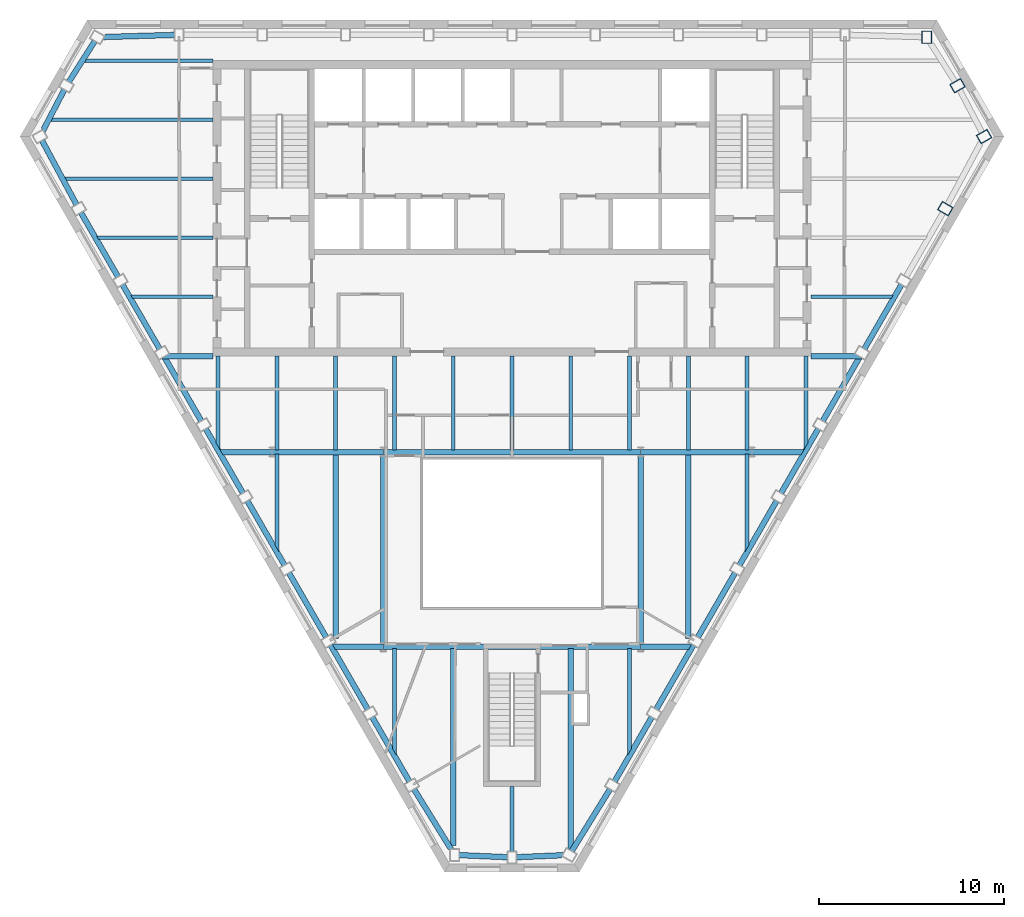
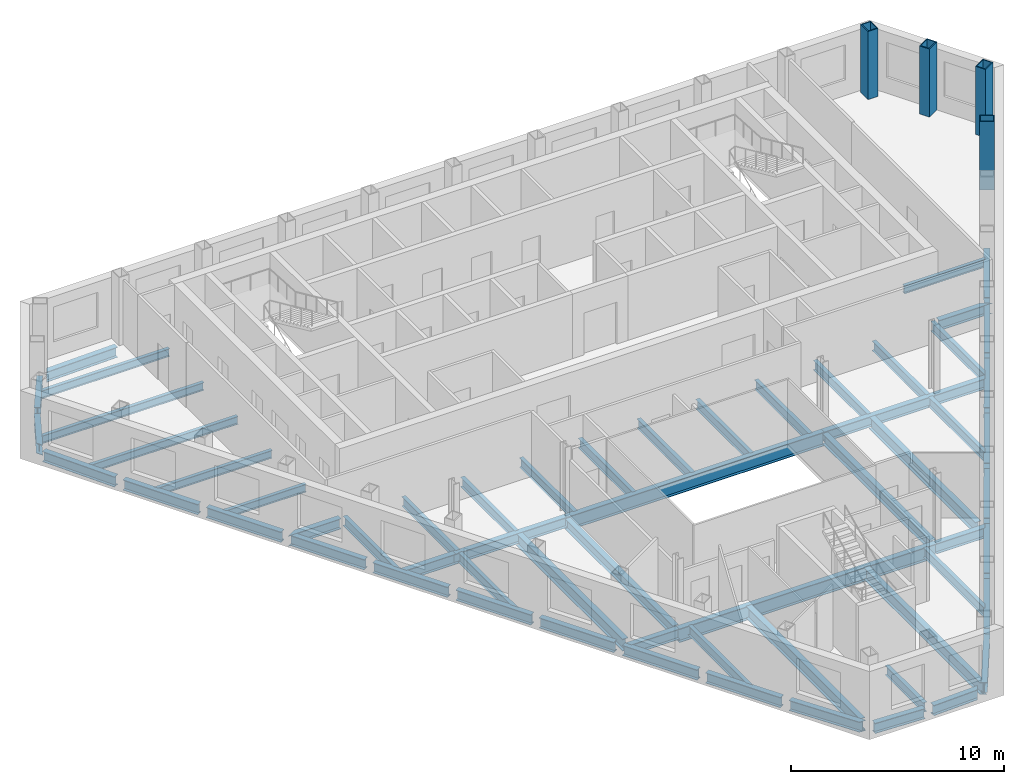
# One storey, part 2 of 11: 61 beams, 4 columns.
"""IFC4 building model written with IfcOpenShell, lengths in metres."""

from ifc_helpers import new_model, si_unit, direction, frame, origin, origin_2d, place, context, subcontext, project, spatial, hollow_rectangle, i_section, extrude, clip, halfspace, material, material_profile, profile_set, type_object, element, save


model = new_model("IFC4")

# Units and contexts
model_context = context("Model", 3, precision=1e-05, world=origin(), true_north=direction((0.0, 1.0)))
body_context = subcontext(model_context, "Body", "Model", "MODEL_VIEW")
ifc_project = project(units=[si_unit("LENGTHUNIT", "METRE"), si_unit("AREAUNIT", "SQUARE_METRE"), si_unit("VOLUMEUNIT", "CUBIC_METRE"), si_unit("PLANEANGLEUNIT", "RADIAN"), si_unit("MASSUNIT", "GRAM", prefix="KILO")], contexts=[model_context])

# Site, building, storey
site_placement = place(None, origin())
site = spatial("IfcSite", under=ifc_project, at=site_placement, CompositionType="ELEMENT")
building_placement = place(site_placement, origin())
building = spatial("IfcBuilding", under=site, at=building_placement, Name="Njiva Tower", CompositionType="ELEMENT")
storey_placement = place(building_placement, frame((0.0, 0.0, 208.2)))
storey = spatial("IfcBuildingStorey", under=building, at=storey_placement, Name="L46", CompositionType="ELEMENT", Elevation=208.2)

# Columns
ifc_material = material(Name="Steel S355 J2", Category="steel")
ifc_material_profile_1 = material_profile(ifc_material, hollow_rectangle(XDim=0.55, YDim=0.7, WallThickness=0.05, at=origin_2d()), Name="BOX 700x550x50")
ifc_profile_set_1 = profile_set([ifc_material_profile_1], Name="Steel S355 J2")
column_type = type_object("IfcColumnType", Name="C11 Perimeter tube column BOX 700x550x50", PredefinedType="COLUMN", material=ifc_profile_set_1)
for number, where, z_axis, x_axis, name in (
    (1, (22.461, 19.267, 0.0), (0.0, 0.0, 1.0), (-1.0, 0.0, 0.0), "Perimeter tube column S15-C01"),
    (2, (23.467, 9.983, 0.0), (0.0, 0.0, 1.0), (0.5, 0.866025403784, 0.0), "Perimeter tube column S15-C34"),
    (3, (25.568, 13.887, 0.0), (0.0, 0.0, 1.0), (-0.5, 0.866025403784, 0.0), "Perimeter tube column S15-C35"),
    (4, (24.13, 16.643, 0.0), (0.0, 0.0, 1.0), (-0.5, 0.866025403784, 0.0), "Perimeter tube column S15-C36"),
):
    element("IfcColumn", number, at=place(storey_placement, frame(where, z_axis=z_axis, x_axis=x_axis)), inside=storey, type_object=column_type, Name=name, PredefinedType="COLUMN", context=body_context, shape_type="SweptSolid", body=[
        extrude(hollow_rectangle(XDim=0.55, YDim=0.7, WallThickness=0.05, at=origin_2d()), origin(), (0.0, 0.0, 1.0), 3.9),
    ])

# Beams
ifc_material_profile_2 = material_profile(ifc_material, i_section(OverallWidth=0.3, OverallDepth=0.69, WebThickness=0.0145, FlangeThickness=0.027, at=origin_2d()), Name="HEA 700")
ifc_profile_set_2 = profile_set([ifc_material_profile_2], Name="Steel S355 J2")
beam_type_1 = type_object("IfcBeamType", Name="B12 Long-span floor joist HEA 700", PredefinedType="JOIST", material=ifc_profile_set_2)
beam_1_placement = place(storey_placement, frame((-9.55, -3.3, -0.545), z_axis=(0.0, -1.0, 0.0), x_axis=(1.0, 0.0, 0.0)))
element("IfcBeam", 5, at=beam_1_placement, inside=storey, type_object=beam_type_1, Name="Long-span floor joist S15-B056", PredefinedType="JOIST", context=body_context, shape_type="SweptSolid", body=[
    extrude(i_section(OverallWidth=0.3, OverallDepth=0.69, WebThickness=0.0145, FlangeThickness=0.027, at=origin_2d()), origin(), (0.0, 0.0, 1.0), 9.997),
])
beam_2_placement = place(storey_placement, frame((-3.183, -13.85, -0.545), z_axis=(0.0, -1.0, 0.0), x_axis=(1.0, 0.0, 0.0)))
element("IfcBeam", 6, at=beam_2_placement, inside=storey, type_object=beam_type_1, Name="Long-span floor joist S15-B061", PredefinedType="JOIST", context=body_context, shape_type="SweptSolid", body=[
    extrude(i_section(OverallWidth=0.3, OverallDepth=0.69, WebThickness=0.0145, FlangeThickness=0.027, at=origin_2d()), origin(), (0.0, 0.0, 1.0), 10.643),
])
beam_3_placement = place(storey_placement, frame((3.183, -13.85, -0.545), z_axis=(0.0, -1.0, 0.0), x_axis=(1.0, 0.0, 0.0)))
element("IfcBeam", 7, at=beam_3_placement, inside=storey, type_object=beam_type_1, Name="Long-span floor joist S15-B066", PredefinedType="JOIST", context=body_context, shape_type="Clipping", body=[
    clip(extrude(i_section(OverallWidth=0.3, OverallDepth=0.69, WebThickness=0.0145, FlangeThickness=0.027, at=origin_2d()), origin(), (0.0, 0.0, 1.0), 11.033), halfspace(frame((-0.0247, 0.0, 10.9374), z_axis=(-0.499998009787, 0.0, 0.866026552831), x_axis=(0.0, 1.0, 0.0)), False)),
])
beam_4_placement = place(storey_placement, frame((9.55, -3.3, -0.545), z_axis=(0.0, -1.0, 0.0), x_axis=(1.0, 0.0, 0.0)))
element("IfcBeam", 8, at=beam_4_placement, inside=storey, type_object=beam_type_1, Name="Long-span floor joist S15-B072", PredefinedType="JOIST", context=body_context, shape_type="SweptSolid", body=[
    extrude(i_section(OverallWidth=0.3, OverallDepth=0.69, WebThickness=0.0145, FlangeThickness=0.027, at=origin_2d()), origin(), (0.0, 0.0, 1.0), 9.997),
])
ifc_material_profile_3 = material_profile(ifc_material, i_section(OverallWidth=0.3, OverallDepth=0.59, WebThickness=0.013, FlangeThickness=0.025, at=origin_2d()), Name="HEA 600")
ifc_profile_set_3 = profile_set([ifc_material_profile_3], Name="Steel S355 J2")
beam_type_2 = type_object("IfcBeamType", Name="B27 Short-span spandrel beam HEA 600", PredefinedType="SPANDREL", material=ifc_profile_set_3)
beam_5_placement = place(storey_placement, frame((-18.259, 19.393, -0.495), z_axis=(-0.999546404273, -0.03011620335, 0.0), x_axis=(0.03011620335, -0.999546404273, 0.0)))
element("IfcBeam", 9, at=beam_5_placement, inside=storey, type_object=beam_type_2, Name="Short-span spandrel beam S15-B091", PredefinedType="SPANDREL", context=body_context, shape_type="Clipping", body=[
    clip(extrude(i_section(OverallWidth=0.3, OverallDepth=0.59, WebThickness=0.013, FlangeThickness=0.025, at=origin_2d()), origin(), (0.0, 0.0, 1.0), 3.9647), halfspace(frame((-0.0268, 0.0, 3.835), z_axis=(-0.525852644597, 0.0, 0.850575685151), x_axis=(0.0, 1.0, 0.0)), False)),
])
beam_6_placement = place(storey_placement, frame((-22.585, 19.072, -0.495), z_axis=(-0.536704407598, -0.843770335379, 0.0), x_axis=(0.843770335379, -0.536704407598, 0.0)))
element("IfcBeam", 10, at=beam_6_placement, inside=storey, type_object=beam_type_2, Name="Short-span spandrel beam S15-B088", PredefinedType="SPANDREL", context=body_context, shape_type="SweptSolid", body=[
    extrude(i_section(OverallWidth=0.3, OverallDepth=0.59, WebThickness=0.013, FlangeThickness=0.025, at=origin_2d()), origin(), (0.0, 0.0, 1.0), 2.6476),
])
beam_7_placement = place(storey_placement, frame((-24.237, 16.438, -0.495), z_axis=(-0.462376265324, -0.886683815836, 0.0), x_axis=(0.886683815836, -0.462376265324, 0.0)))
element("IfcBeam", 11, at=beam_7_placement, inside=storey, type_object=beam_type_2, Name="Short-span spandrel beam S15-B085", PredefinedType="SPANDREL", context=body_context, shape_type="Clipping", body=[
    clip(extrude(i_section(OverallWidth=0.3, OverallDepth=0.59, WebThickness=0.013, FlangeThickness=0.025, at=origin_2d()), origin(), (0.0, 0.0, 1.0), 2.6368), halfspace(frame((-0.0269, 0.0, 2.5051), z_axis=(-0.536704516045, 0.0, 0.843770266398), x_axis=(0.0, 1.0, 0.0)), False)),
])
beam_8_placement = place(storey_placement, frame((-25.459, 13.686, -0.495), z_axis=(0.473574818702, -0.880753592721, 0.0), x_axis=(0.880753592721, 0.473574818702, 0.0)))
element("IfcBeam", 12, at=beam_8_placement, inside=storey, type_object=beam_type_2, Name="Short-span spandrel beam S15-B084", PredefinedType="SPANDREL", context=body_context, shape_type="SweptSolid", body=[
    extrude(i_section(OverallWidth=0.3, OverallDepth=0.59, WebThickness=0.013, FlangeThickness=0.025, at=origin_2d()), origin(), (0.0, 0.0, 1.0), 3.9761),
])
beam_9_placement = place(storey_placement, frame((-23.355, 9.788, -0.495), z_axis=(0.500035331196, -0.866005004348, 0.0), x_axis=(0.866005004348, 0.500035331196, 0.0)))
element("IfcBeam", 13, at=beam_9_placement, inside=storey, type_object=beam_type_2, Name="Short-span spandrel beam S15-B089", PredefinedType="SPANDREL", context=body_context, shape_type="SweptSolid", body=[
    extrude(i_section(OverallWidth=0.3, OverallDepth=0.59, WebThickness=0.013, FlangeThickness=0.025, at=origin_2d()), origin(), (0.0, 0.0, 1.0), 4.0577),
])
beam_10_placement = place(storey_placement, frame((-21.101, 5.884, -0.495), z_axis=(0.499957196903, -0.866050114754, 0.0), x_axis=(0.866050114754, 0.499957196903, 0.0)))
element("IfcBeam", 14, at=beam_10_placement, inside=storey, type_object=beam_type_2, Name="Short-span spandrel beam S15-B092", PredefinedType="SPANDREL", context=body_context, shape_type="SweptSolid", body=[
    extrude(i_section(OverallWidth=0.3, OverallDepth=0.59, WebThickness=0.013, FlangeThickness=0.025, at=origin_2d()), origin(), (0.0, 0.0, 1.0), 4.0563),
])
for number, where, z_axis, x_axis, name in (
    (15, (-18.848, 1.981, -0.495), (0.500035331196, -0.866005004348, 0.0), (0.866005004348, 0.500035331196, 0.0), "Short-span spandrel beam S15-B094"),
    (16, (-16.594, -1.923, -0.495), (0.500035331196, -0.866005004348, 0.0), (0.866005004348, 0.500035331196, 0.0), "Short-span spandrel beam S15-B097"),
    (17, (-14.34, -5.827, -0.495), (0.500035331196, -0.866005004348, 0.0), (0.866005004348, 0.500035331196, 0.0), "Short-span spandrel beam S15-B099"),
):
    element("IfcBeam", number, at=place(storey_placement, frame(where, z_axis=z_axis, x_axis=x_axis)), inside=storey, type_object=beam_type_2, Name=name, PredefinedType="SPANDREL", context=body_context, shape_type="SweptSolid", body=[
        extrude(i_section(OverallWidth=0.3, OverallDepth=0.59, WebThickness=0.013, FlangeThickness=0.025, at=origin_2d()), origin(), (0.0, 0.0, 1.0), 4.0577),
    ])
beam_11_placement = place(storey_placement, frame((-12.086, -9.731, -0.495), z_axis=(0.500142068684, -0.865943364853, 0.0), x_axis=(0.865943364853, 0.500142068684, 0.0)))
element("IfcBeam", 18, at=beam_11_placement, inside=storey, type_object=beam_type_2, Name="Short-span spandrel beam S15-B102", PredefinedType="SPANDREL", context=body_context, shape_type="SweptSolid", body=[
    extrude(i_section(OverallWidth=0.3, OverallDepth=0.59, WebThickness=0.013, FlangeThickness=0.025, at=origin_2d()), origin(), (0.0, 0.0, 1.0), 4.0568),
])
for number, where, z_axis, x_axis, name in (
    (19, (-9.832, -13.634, -0.495), (0.500035331196, -0.866005004348, 0.0), (0.866005004348, 0.500035331196, 0.0), "Short-span spandrel beam S15-B104"),
    (20, (-7.578, -17.538, -0.495), (0.500035331196, -0.866005004348, 0.0), (0.866005004348, 0.500035331196, 0.0), "Short-span spandrel beam S15-B107"),
):
    element("IfcBeam", number, at=place(storey_placement, frame(where, z_axis=z_axis, x_axis=x_axis)), inside=storey, type_object=beam_type_2, Name=name, PredefinedType="SPANDREL", context=body_context, shape_type="SweptSolid", body=[
        extrude(i_section(OverallWidth=0.3, OverallDepth=0.59, WebThickness=0.013, FlangeThickness=0.025, at=origin_2d()), origin(), (0.0, 0.0, 1.0), 4.0577),
    ])
beam_12_placement = place(storey_placement, frame((-5.317, -21.442, -0.495), z_axis=(0.525907504523, -0.850541766574, 0.0), x_axis=(0.850541766574, 0.525907504523, 0.0)))
element("IfcBeam", 21, at=beam_12_placement, inside=storey, type_object=beam_type_2, Name="Short-span spandrel beam S15-B109", PredefinedType="SPANDREL", context=body_context, shape_type="Clipping", body=[
    clip(extrude(i_section(OverallWidth=0.3, OverallDepth=0.59, WebThickness=0.013, FlangeThickness=0.025, at=origin_2d()), origin(), (0.0, 0.0, 1.0), 3.9635), halfspace(frame((-0.0262, 0.0, 3.8343), z_axis=(-0.525907504523, 0.0, 0.850541766574), x_axis=(0.0, 1.0, 0.0)), False)),
])
beam_13_placement = place(storey_placement, frame((-2.875, -25.027, -0.495), z_axis=(0.999071778133, -0.043076468497, 0.0), x_axis=(0.043076468497, 0.999071778133, 0.0)))
element("IfcBeam", 22, at=beam_13_placement, inside=storey, type_object=beam_type_2, Name="Short-span spandrel beam S15-B113", PredefinedType="SPANDREL", context=body_context, shape_type="SweptSolid", body=[
    extrude(i_section(OverallWidth=0.3, OverallDepth=0.59, WebThickness=0.013, FlangeThickness=0.025, at=origin_2d()), origin(), (0.0, 0.0, 1.0), 2.6465),
])
beam_14_placement = place(storey_placement, frame((0.231, -25.141, -0.495), z_axis=(0.999082895818, 0.042817838392, 0.0), x_axis=(-0.042817838392, 0.999082895818, 0.0)))
element("IfcBeam", 23, at=beam_14_placement, inside=storey, type_object=beam_type_2, Name="Short-span spandrel beam S15-B115", PredefinedType="SPANDREL", context=body_context, shape_type="Clipping", body=[
    clip(extrude(i_section(OverallWidth=0.3, OverallDepth=0.59, WebThickness=0.013, FlangeThickness=0.025, at=origin_2d()), origin(), (0.0, 0.0, 1.0), 2.6373), halfspace(frame((-0.0265, 0.0, 2.5049), z_axis=(-0.536620844503, 0.0, 0.843823482278), x_axis=(0.0, 1.0, 0.0)), False)),
])
beam_15_placement = place(storey_placement, frame((3.227, -24.823, -0.495), z_axis=(0.525808859421, 0.850602752967, 0.0), x_axis=(-0.850602752967, 0.525808859421, 0.0)))
element("IfcBeam", 24, at=beam_15_placement, inside=storey, type_object=beam_type_2, Name="Short-span spandrel beam S15-B118", PredefinedType="SPANDREL", context=body_context, shape_type="SweptSolid", body=[
    extrude(i_section(OverallWidth=0.3, OverallDepth=0.59, WebThickness=0.013, FlangeThickness=0.025, at=origin_2d()), origin(), (0.0, 0.0, 1.0), 3.9748),
])
for number, where, z_axis, x_axis, name in (
    (25, (5.549, -21.052, -0.495), (0.500035331196, 0.866005004348, 0.0), (-0.866005004348, 0.500035331196, 0.0), "Short-span spandrel beam S15-B121"),
    (26, (7.803, -17.148, -0.495), (0.500035331196, 0.866005004348, 0.0), (-0.866005004348, 0.500035331196, 0.0), "Short-span spandrel beam S15-B123"),
):
    element("IfcBeam", number, at=place(storey_placement, frame(where, z_axis=z_axis, x_axis=x_axis)), inside=storey, type_object=beam_type_2, Name=name, PredefinedType="SPANDREL", context=body_context, shape_type="SweptSolid", body=[
        extrude(i_section(OverallWidth=0.3, OverallDepth=0.59, WebThickness=0.013, FlangeThickness=0.025, at=origin_2d()), origin(), (0.0, 0.0, 1.0), 4.0577),
    ])
beam_16_placement = place(storey_placement, frame((10.057, -13.244, -0.495), z_axis=(0.500142068684, 0.865943364853, 0.0), x_axis=(-0.865943364853, 0.500142068684, 0.0)))
element("IfcBeam", 27, at=beam_16_placement, inside=storey, type_object=beam_type_2, Name="Short-span spandrel beam S15-B126", PredefinedType="SPANDREL", context=body_context, shape_type="SweptSolid", body=[
    extrude(i_section(OverallWidth=0.3, OverallDepth=0.59, WebThickness=0.013, FlangeThickness=0.025, at=origin_2d()), origin(), (0.0, 0.0, 1.0), 4.0568),
])
for number, where, z_axis, x_axis, name in (
    (28, (12.311, -9.341, -0.495), (0.500035331196, 0.866005004348, 0.0), (-0.866005004348, 0.500035331196, 0.0), "Short-span spandrel beam S15-B128"),
    (29, (14.565, -5.437, -0.495), (0.500035331196, 0.866005004348, 0.0), (-0.866005004348, 0.500035331196, 0.0), "Short-span spandrel beam S15-B131"),
    (30, (16.819, -1.533, -0.495), (0.500035331196, 0.866005004348, 0.0), (-0.866005004348, 0.500035331196, 0.0), "Short-span spandrel beam S15-B133"),
):
    element("IfcBeam", number, at=place(storey_placement, frame(where, z_axis=z_axis, x_axis=x_axis)), inside=storey, type_object=beam_type_2, Name=name, PredefinedType="SPANDREL", context=body_context, shape_type="SweptSolid", body=[
        extrude(i_section(OverallWidth=0.3, OverallDepth=0.59, WebThickness=0.013, FlangeThickness=0.025, at=origin_2d()), origin(), (0.0, 0.0, 1.0), 4.0577),
    ])
beam_17_placement = place(storey_placement, frame((19.073, 2.371, -0.495), z_axis=(0.499957196903, 0.866050114754, 0.0), x_axis=(-0.866050114754, 0.499957196903, 0.0)))
element("IfcBeam", 31, at=beam_17_placement, inside=storey, type_object=beam_type_2, Name="Short-span spandrel beam S15-B136", PredefinedType="SPANDREL", context=body_context, shape_type="SweptSolid", body=[
    extrude(i_section(OverallWidth=0.3, OverallDepth=0.59, WebThickness=0.013, FlangeThickness=0.025, at=origin_2d()), origin(), (0.0, 0.0, 1.0), 4.0563),
])
ifc_material_profile_4 = material_profile(ifc_material, i_section(OverallWidth=0.3, OverallDepth=0.59, WebThickness=0.013, FlangeThickness=0.025, at=origin_2d()), Name="HEA 600")
ifc_profile_set_4 = profile_set([ifc_material_profile_4], Name="Steel S355 J2")
beam_type_3 = type_object("IfcBeamType", Name="B28 Floor girder HEA 600", PredefinedType="BEAM", material=ifc_profile_set_4)
for number, where, z_axis, x_axis, name in (
    (32, (-13.0, -3.2, -0.495), (1.0, 0.0, 0.0), (0.0, 1.0, 0.0), "Floor girder S15-B014"),
    (33, (6.97, -3.2, -0.495), (1.0, 0.0, 0.0), (0.0, 1.0, 0.0), "Floor girder S15-B019"),
):
    element("IfcBeam", number, at=place(storey_placement, frame(where, z_axis=z_axis, x_axis=x_axis)), inside=storey, type_object=beam_type_3, Name=name, PredefinedType="BEAM", context=body_context, shape_type="SweptSolid", body=[
        extrude(i_section(OverallWidth=0.3, OverallDepth=0.59, WebThickness=0.013, FlangeThickness=0.025, at=origin_2d()), origin(), (0.0, 0.0, 1.0), 6.03),
    ])
ifc_material_profile_5 = material_profile(ifc_material, i_section(OverallWidth=0.3, OverallDepth=0.59, WebThickness=0.013, FlangeThickness=0.025, at=origin_2d()), Name="HEA 600")
ifc_profile_set_5 = profile_set([ifc_material_profile_5], Name="Steel S355 J2")
beam_type_4 = type_object("IfcBeamType", Name="B29 Short-span floor girder HEA 600", PredefinedType="BEAM", material=ifc_profile_set_5)
beam_18_placement = place(storey_placement, frame((-15.848, -3.2, -0.495), z_axis=(1.0, 0.0, 0.0), x_axis=(0.0, 1.0, 0.0)))
element("IfcBeam", 34, at=beam_18_placement, inside=storey, type_object=beam_type_4, Name="Short-span floor girder S15-B013", PredefinedType="BEAM", context=body_context, shape_type="Clipping", body=[
    clip(extrude(i_section(OverallWidth=0.3, OverallDepth=0.59, WebThickness=0.013, FlangeThickness=0.025, at=origin_2d()), origin(), (0.0, 0.0, 1.0), 2.848), halfspace(frame((-0.025, 0.0, 0.1217), z_axis=(-0.499998009787, 0.0, -0.866026552831), x_axis=(0.0, -1.0, 0.0)), False)),
])
beam_19_placement = place(storey_placement, frame((13.0, -3.2, -0.495), z_axis=(1.0, 0.0, 0.0), x_axis=(0.0, 1.0, 0.0)))
element("IfcBeam", 35, at=beam_19_placement, inside=storey, type_object=beam_type_4, Name="Short-span floor girder S15-B020", PredefinedType="BEAM", context=body_context, shape_type="Clipping", body=[
    clip(extrude(i_section(OverallWidth=0.3, OverallDepth=0.59, WebThickness=0.013, FlangeThickness=0.025, at=origin_2d()), origin(), (0.0, 0.0, 1.0), 2.848), halfspace(frame((-0.025, 0.0, 2.7263), z_axis=(-0.499998009787, 0.0, 0.866026552831), x_axis=(0.0, 1.0, 0.0)), False)),
])
beam_20_placement = place(storey_placement, frame((-9.757, -13.75, -0.495), z_axis=(1.0, 0.0, 0.0), x_axis=(0.0, 1.0, 0.0)))
element("IfcBeam", 36, at=beam_20_placement, inside=storey, type_object=beam_type_4, Name="Short-span floor girder S15-B016", PredefinedType="BEAM", context=body_context, shape_type="Clipping", body=[
    clip(extrude(i_section(OverallWidth=0.3, OverallDepth=0.59, WebThickness=0.013, FlangeThickness=0.025, at=origin_2d()), origin(), (0.0, 0.0, 1.0), 2.787), halfspace(frame((-0.025, 0.0, 0.1217), z_axis=(-0.499998009787, 0.0, -0.866026552831), x_axis=(0.0, -1.0, 0.0)), False)),
])
beam_21_placement = place(storey_placement, frame((6.97, -13.75, -0.495), z_axis=(1.0, 0.0, 0.0), x_axis=(0.0, 1.0, 0.0)))
element("IfcBeam", 37, at=beam_21_placement, inside=storey, type_object=beam_type_4, Name="Short-span floor girder S15-B017", PredefinedType="BEAM", context=body_context, shape_type="Clipping", body=[
    clip(extrude(i_section(OverallWidth=0.3, OverallDepth=0.59, WebThickness=0.013, FlangeThickness=0.025, at=origin_2d()), origin(), (0.0, 0.0, 1.0), 2.787), halfspace(frame((-0.025, 0.0, 2.6653), z_axis=(-0.499998009787, 0.0, 0.866026552831), x_axis=(0.0, 1.0, 0.0)), False)),
])
beam_22_placement = place(storey_placement, frame((-19.095, 2.0, -0.495), z_axis=(1.0, 0.0, 0.0), x_axis=(0.0, 1.0, 0.0)))
element("IfcBeam", 38, at=beam_22_placement, inside=storey, type_object=beam_type_4, Name="Short-span floor girder S15-B012", PredefinedType="BEAM", context=body_context, shape_type="Clipping", body=[
    clip(extrude(i_section(OverallWidth=0.3, OverallDepth=0.59, WebThickness=0.013, FlangeThickness=0.025, at=origin_2d()), origin(), (0.0, 0.0, 1.0), 2.895), halfspace(frame((0.0433, 0.0, 0.3552), z_axis=(0.866026552831, 0.0, -0.499998009787), x_axis=(0.0, -1.0, 0.0)), False)),
])
beam_23_placement = place(storey_placement, frame((16.2, 2.0, -0.495), z_axis=(1.0, 0.0, 0.0), x_axis=(0.0, 1.0, 0.0)))
element("IfcBeam", 39, at=beam_23_placement, inside=storey, type_object=beam_type_4, Name="Short-span floor girder S15-B021", PredefinedType="BEAM", context=body_context, shape_type="Clipping", body=[
    clip(extrude(i_section(OverallWidth=0.3, OverallDepth=0.59, WebThickness=0.013, FlangeThickness=0.025, at=origin_2d()), origin(), (0.0, 0.0, 1.0), 2.895), halfspace(frame((0.0433, 0.0, 2.5398), z_axis=(0.866026552831, 0.0, 0.499998009787), x_axis=(0.0, 1.0, 0.0)), False)),
])
ifc_material_profile_6 = material_profile(ifc_material, i_section(OverallWidth=0.3, OverallDepth=0.59, WebThickness=0.013, FlangeThickness=0.025, at=origin_2d()), Name="HEA 600")
ifc_profile_set_6 = profile_set([ifc_material_profile_6], Name="Steel S355 J2")
beam_type_5 = type_object("IfcBeamType", Name="B30 Long-span atrium trimmer beam HEA 600", PredefinedType="BEAM", material=ifc_profile_set_6)
for number, where, z_axis, x_axis, name in (
    (40, (6.97, -13.538, -0.495), (0.0, 1.0, 0.0), (-1.0, 0.0, 0.0), "Long-span atrium trimmer beam S15-B082"),
    (41, (-6.97, -3.412, -0.495), (0.0, -1.0, 0.0), (1.0, 0.0, 0.0), "Long-span atrium trimmer beam S15-B079"),
):
    element("IfcBeam", number, at=place(storey_placement, frame(where, z_axis=z_axis, x_axis=x_axis)), inside=storey, type_object=beam_type_5, Name=name, PredefinedType="BEAM", context=body_context, shape_type="SweptSolid", body=[
        extrude(i_section(OverallWidth=0.3, OverallDepth=0.59, WebThickness=0.013, FlangeThickness=0.025, at=origin_2d()), origin(), (0.0, 0.0, 1.0), 10.126),
    ])
ifc_material_profile_7 = material_profile(ifc_material, i_section(OverallWidth=0.21, OverallDepth=0.55, WebThickness=0.0111, FlangeThickness=0.0172, at=origin_2d()), Name="IPE 550")
ifc_profile_set_7 = profile_set([ifc_material_profile_7], Name="Steel S355 J2")
beam_type_6 = type_object("IfcBeamType", Name="B31 Short-span floor joist IPE 550", PredefinedType="JOIST", material=ifc_profile_set_7)
beam_24_placement = place(storey_placement, frame((0.0, -21.3, -0.475), z_axis=(0.0, -1.0, 0.0), x_axis=(1.0, 0.0, 0.0)))
element("IfcBeam", 42, at=beam_24_placement, inside=storey, type_object=beam_type_6, Name="Short-span floor joist S15-B064", PredefinedType="JOIST", context=body_context, shape_type="SweptSolid", body=[
    extrude(i_section(OverallWidth=0.21, OverallDepth=0.55, WebThickness=0.0111, FlangeThickness=0.0172, at=origin_2d()), origin(), (0.0, 0.0, 1.0), 3.55),
])
ifc_material_profile_8 = material_profile(ifc_material, i_section(OverallWidth=0.21, OverallDepth=0.55, WebThickness=0.0111, FlangeThickness=0.0172, at=origin_2d()), Name="IPE 550")
ifc_profile_set_8 = profile_set([ifc_material_profile_8], Name="Steel S355 J2")
beam_type_7 = type_object("IfcBeamType", Name="B32 Floor joist IPE 550", PredefinedType="JOIST", material=ifc_profile_set_8)
beam_25_placement = place(storey_placement, frame((-15.917, 1.995, -0.475), z_axis=(0.0, -1.0, 0.0), x_axis=(1.0, 0.0, 0.0)))
element("IfcBeam", 43, at=beam_25_placement, inside=storey, type_object=beam_type_7, Name="Floor joist S15-B052", PredefinedType="JOIST", context=body_context, shape_type="Clipping", body=[
    clip(extrude(i_section(OverallWidth=0.21, OverallDepth=0.55, WebThickness=0.0111, FlangeThickness=0.0172, at=origin_2d()), origin(), (0.0, 0.0, 1.0), 5.092), halfspace(frame((-0.043, 0.0, 4.8153), z_axis=(-0.866026552831, 0.0, 0.499998009787), x_axis=(0.0, 1.0, 0.0)), False)),
])
beam_26_placement = place(storey_placement, frame((-12.733, 1.995, -0.475), z_axis=(0.0, -1.0, 0.0), x_axis=(1.0, 0.0, 0.0)))
element("IfcBeam", 44, at=beam_26_placement, inside=storey, type_object=beam_type_7, Name="Floor joist S15-B054", PredefinedType="JOIST", context=body_context, shape_type="SweptSolid", body=[
    extrude(i_section(OverallWidth=0.21, OverallDepth=0.55, WebThickness=0.0111, FlangeThickness=0.0172, at=origin_2d()), origin(), (0.0, 0.0, 1.0), 5.095),
])
beam_27_placement = place(storey_placement, frame((-12.733, -3.3, -0.475), z_axis=(0.0, -1.0, 0.0), x_axis=(1.0, 0.0, 0.0)))
element("IfcBeam", 45, at=beam_27_placement, inside=storey, type_object=beam_type_7, Name="Floor joist S15-B053", PredefinedType="JOIST", context=body_context, shape_type="Clipping", body=[
    clip(extrude(i_section(OverallWidth=0.21, OverallDepth=0.55, WebThickness=0.0111, FlangeThickness=0.0172, at=origin_2d()), origin(), (0.0, 0.0, 1.0), 5.311), halfspace(frame((-0.0436, 0.0, 5.034), z_axis=(-0.866026552831, 0.0, 0.499998009787), x_axis=(0.0, 1.0, 0.0)), False)),
])
for number, where, z_axis, x_axis, name in (
    (46, (-9.55, 1.995, -0.475), (0.0, -1.0, 0.0), (1.0, 0.0, 0.0), "Floor joist S15-B057"),
    (47, (-6.367, 1.995, -0.475), (0.0, -1.0, 0.0), (1.0, 0.0, 0.0), "Floor joist S15-B059"),
):
    element("IfcBeam", number, at=place(storey_placement, frame(where, z_axis=z_axis, x_axis=x_axis)), inside=storey, type_object=beam_type_7, Name=name, PredefinedType="JOIST", context=body_context, shape_type="SweptSolid", body=[
        extrude(i_section(OverallWidth=0.21, OverallDepth=0.55, WebThickness=0.0111, FlangeThickness=0.0172, at=origin_2d()), origin(), (0.0, 0.0, 1.0), 5.095),
    ])
beam_28_placement = place(storey_placement, frame((-6.367, -13.85, -0.475), z_axis=(0.0, -1.0, 0.0), x_axis=(1.0, 0.0, 0.0)))
element("IfcBeam", 48, at=beam_28_placement, inside=storey, type_object=beam_type_7, Name="Floor joist S15-B058", PredefinedType="JOIST", context=body_context, shape_type="Clipping", body=[
    clip(extrude(i_section(OverallWidth=0.21, OverallDepth=0.55, WebThickness=0.0111, FlangeThickness=0.0172, at=origin_2d()), origin(), (0.0, 0.0, 1.0), 5.788), halfspace(frame((-0.043, 0.0, 5.5114), z_axis=(-0.866026552831, 0.0, 0.499998009787), x_axis=(0.0, 1.0, 0.0)), False)),
])
for number, where, z_axis, x_axis, name in (
    (49, (-3.183, 1.995, -0.475), (0.0, -1.0, 0.0), (1.0, 0.0, 0.0), "Floor joist S15-B062"),
    (50, (0.0, 1.995, -0.475), (0.0, -1.0, 0.0), (1.0, 0.0, 0.0), "Floor joist S15-B065"),
    (51, (3.183, 1.995, -0.475), (0.0, -1.0, 0.0), (1.0, 0.0, 0.0), "Floor joist S15-B068"),
    (52, (6.367, 1.995, -0.475), (0.0, -1.0, 0.0), (1.0, 0.0, 0.0), "Floor joist S15-B070"),
):
    element("IfcBeam", number, at=place(storey_placement, frame(where, z_axis=z_axis, x_axis=x_axis)), inside=storey, type_object=beam_type_7, Name=name, PredefinedType="JOIST", context=body_context, shape_type="SweptSolid", body=[
        extrude(i_section(OverallWidth=0.21, OverallDepth=0.55, WebThickness=0.0111, FlangeThickness=0.0172, at=origin_2d()), origin(), (0.0, 0.0, 1.0), 5.095),
    ])
beam_29_placement = place(storey_placement, frame((6.367, -13.85, -0.475), z_axis=(0.0, -1.0, 0.0), x_axis=(1.0, 0.0, 0.0)))
element("IfcBeam", 53, at=beam_29_placement, inside=storey, type_object=beam_type_7, Name="Floor joist S15-B069", PredefinedType="JOIST", context=body_context, shape_type="Clipping", body=[
    clip(extrude(i_section(OverallWidth=0.21, OverallDepth=0.55, WebThickness=0.0111, FlangeThickness=0.0172, at=origin_2d()), origin(), (0.0, 0.0, 1.0), 5.788), halfspace(frame((0.043, 0.0, 5.5114), z_axis=(0.866026552831, 0.0, 0.499998009787), x_axis=(0.0, 1.0, 0.0)), False)),
])
for number, where, z_axis, x_axis, name in (
    (54, (9.55, 1.995, -0.475), (0.0, -1.0, 0.0), (1.0, 0.0, 0.0), "Floor joist S15-B073"),
    (55, (12.733, 1.995, -0.475), (0.0, -1.0, 0.0), (1.0, 0.0, 0.0), "Floor joist S15-B075"),
):
    element("IfcBeam", number, at=place(storey_placement, frame(where, z_axis=z_axis, x_axis=x_axis)), inside=storey, type_object=beam_type_7, Name=name, PredefinedType="JOIST", context=body_context, shape_type="SweptSolid", body=[
        extrude(i_section(OverallWidth=0.21, OverallDepth=0.55, WebThickness=0.0111, FlangeThickness=0.0172, at=origin_2d()), origin(), (0.0, 0.0, 1.0), 5.095),
    ])
beam_30_placement = place(storey_placement, frame((12.733, -3.3, -0.475), z_axis=(0.0, -1.0, 0.0), x_axis=(1.0, 0.0, 0.0)))
element("IfcBeam", 56, at=beam_30_placement, inside=storey, type_object=beam_type_7, Name="Floor joist S15-B074", PredefinedType="JOIST", context=body_context, shape_type="Clipping", body=[
    clip(extrude(i_section(OverallWidth=0.21, OverallDepth=0.55, WebThickness=0.0111, FlangeThickness=0.0172, at=origin_2d()), origin(), (0.0, 0.0, 1.0), 5.311), halfspace(frame((0.0436, 0.0, 5.034), z_axis=(0.866026552831, 0.0, 0.499998009787), x_axis=(0.0, 1.0, 0.0)), False)),
])
beam_31_placement = place(storey_placement, frame((15.917, 1.995, -0.475), z_axis=(0.0, -1.0, 0.0), x_axis=(1.0, 0.0, 0.0)))
element("IfcBeam", 57, at=beam_31_placement, inside=storey, type_object=beam_type_7, Name="Floor joist S15-B076", PredefinedType="JOIST", context=body_context, shape_type="Clipping", body=[
    clip(extrude(i_section(OverallWidth=0.21, OverallDepth=0.55, WebThickness=0.0111, FlangeThickness=0.0172, at=origin_2d()), origin(), (0.0, 0.0, 1.0), 5.092), halfspace(frame((0.043, 0.0, 4.8153), z_axis=(0.866026552831, 0.0, 0.499998009787), x_axis=(0.0, 1.0, 0.0)), False)),
])
ifc_material_profile_9 = material_profile(ifc_material, i_section(OverallWidth=0.19, OverallDepth=0.45, WebThickness=0.0094, FlangeThickness=0.0146, at=origin_2d()), Name="IPE 450")
ifc_profile_set_9 = profile_set([ifc_material_profile_9], Name="Steel S355 J2")
beam_type_8 = type_object("IfcBeamType", Name="B37 Floor beam to the core IPE 450", PredefinedType="BEAM", material=ifc_profile_set_9)
beam_32_placement = place(storey_placement, frame((-22.513, 8.4, -0.425), z_axis=(1.0, 0.0, 0.0), x_axis=(0.0, 1.0, 0.0)))
element("IfcBeam", 58, at=beam_32_placement, inside=storey, type_object=beam_type_8, Name="Floor beam to the core S15-B004", PredefinedType="BEAM", context=body_context, shape_type="Clipping", body=[
    clip(extrude(i_section(OverallWidth=0.19, OverallDepth=0.45, WebThickness=0.0094, FlangeThickness=0.0146, at=origin_2d()), origin(), (0.0, 0.0, 1.0), 6.313), halfspace(frame((-0.025, 0.0, 0.0894), z_axis=(-0.499998009787, 0.0, -0.866026552831), x_axis=(0.0, -1.0, 0.0)), False)),
])
beam_33_placement = place(storey_placement, frame((-24.295, 11.6, -0.425), z_axis=(1.0, 0.0, 0.0), x_axis=(0.0, 1.0, 0.0)))
element("IfcBeam", 59, at=beam_33_placement, inside=storey, type_object=beam_type_8, Name="Floor beam to the core S15-B002", PredefinedType="BEAM", context=body_context, shape_type="Clipping", body=[
    clip(extrude(i_section(OverallWidth=0.19, OverallDepth=0.45, WebThickness=0.0094, FlangeThickness=0.0146, at=origin_2d()), origin(), (0.0, 0.0, 1.0), 8.095), halfspace(frame((-0.0237, 0.0, 0.0839), z_axis=(-0.473769423091, 0.0, -0.880648927634), x_axis=(0.0, -1.0, 0.0)), False)),
])
beam_34_placement = place(storey_placement, frame((-25.048, 14.8, -0.425), z_axis=(1.0, 0.0, 0.0), x_axis=(0.0, 1.0, 0.0)))
element("IfcBeam", 60, at=beam_34_placement, inside=storey, type_object=beam_type_8, Name="Floor beam to the core S15-B001", PredefinedType="BEAM", context=body_context, shape_type="Clipping", body=[
    clip(extrude(i_section(OverallWidth=0.19, OverallDepth=0.45, WebThickness=0.0094, FlangeThickness=0.0146, at=origin_2d()), origin(), (0.0, 0.0, 1.0), 8.848), halfspace(frame((0.0231, 0.0, 0.0817), z_axis=(0.462460059842, 0.0, -0.886640114731), x_axis=(0.0, -1.0, 0.0)), False)),
])
beam_35_placement = place(storey_placement, frame((-23.228, 18.0, -0.425), z_axis=(1.0, 0.0, 0.0), x_axis=(0.0, 1.0, 0.0)))
element("IfcBeam", 61, at=beam_35_placement, inside=storey, type_object=beam_type_8, Name="Floor beam to the core S15-B003", PredefinedType="BEAM", context=body_context, shape_type="Clipping", body=[
    clip(extrude(i_section(OverallWidth=0.19, OverallDepth=0.45, WebThickness=0.0094, FlangeThickness=0.0146, at=origin_2d()), origin(), (0.0, 0.0, 1.0), 7.028), halfspace(frame((0.0268, 0.0, 0.0966), z_axis=(0.536617291887, 0.0, -0.843825741518), x_axis=(0.0, -1.0, 0.0)), False)),
])
ifc_material_profile_10 = material_profile(ifc_material, i_section(OverallWidth=0.19, OverallDepth=0.45, WebThickness=0.0094, FlangeThickness=0.0146, at=origin_2d()), Name="IPE 450")
ifc_profile_set_10 = profile_set([ifc_material_profile_10], Name="Steel S355 J2")
beam_type_9 = type_object("IfcBeamType", Name="B38 Short-span floor beam to the core IPE 450", PredefinedType="BEAM", material=ifc_profile_set_10)
beam_36_placement = place(storey_placement, frame((-20.666, 5.2, -0.425), z_axis=(1.0, 0.0, 0.0), x_axis=(0.0, 1.0, 0.0)))
element("IfcBeam", 62, at=beam_36_placement, inside=storey, type_object=beam_type_9, Name="Short-span floor beam to the core S15-B005", PredefinedType="BEAM", context=body_context, shape_type="Clipping", body=[
    clip(extrude(i_section(OverallWidth=0.19, OverallDepth=0.45, WebThickness=0.0094, FlangeThickness=0.0146, at=origin_2d()), origin(), (0.0, 0.0, 1.0), 4.466), halfspace(frame((-0.025, 0.0, 0.0899), z_axis=(-0.499998009787, 0.0, -0.866026552831), x_axis=(0.0, -1.0, 0.0)), False)),
])
beam_37_placement = place(storey_placement, frame((16.2, 5.2, -0.425), z_axis=(1.0, 0.0, 0.0), x_axis=(0.0, 1.0, 0.0)))
element("IfcBeam", 63, at=beam_37_placement, inside=storey, type_object=beam_type_9, Name="Short-span floor beam to the core S15-B006", PredefinedType="BEAM", context=body_context, shape_type="Clipping", body=[
    clip(extrude(i_section(OverallWidth=0.19, OverallDepth=0.45, WebThickness=0.0094, FlangeThickness=0.0146, at=origin_2d()), origin(), (0.0, 0.0, 1.0), 4.466), halfspace(frame((-0.025, 0.0, 4.3761), z_axis=(-0.499998009787, 0.0, 0.866026552831), x_axis=(0.0, 1.0, 0.0)), False)),
])
ifc_material_profile_11 = material_profile(ifc_material, i_section(OverallWidth=0.3, OverallDepth=0.79, WebThickness=0.015, FlangeThickness=0.028, at=origin_2d()), Name="HEA 800")
ifc_profile_set_11 = profile_set([ifc_material_profile_11], Name="Steel S355 J2")
beam_type_10 = type_object("IfcBeamType", Name="B9 Long-span atrium trimmer beam HEA 800", PredefinedType="BEAM", material=ifc_profile_set_11)
for number, where, z_axis, x_axis, name in (
    (64, (-6.97, -13.75, -0.595), (1.0, 0.0, 0.0), (0.0, 1.0, 0.0), "Long-span atrium trimmer beam S15-B078"),
    (65, (6.97, -3.2, -0.595), (-1.0, 0.0, 0.0), (0.0, -1.0, 0.0), "Long-span atrium trimmer beam S15-B080"),
):
    element("IfcBeam", number, at=place(storey_placement, frame(where, z_axis=z_axis, x_axis=x_axis)), inside=storey, type_object=beam_type_10, Name=name, PredefinedType="BEAM", context=body_context, shape_type="SweptSolid", body=[
        extrude(i_section(OverallWidth=0.3, OverallDepth=0.79, WebThickness=0.015, FlangeThickness=0.028, at=origin_2d()), origin(), (0.0, 0.0, 1.0), 13.94),
    ])

save(model, "model.ifc")
